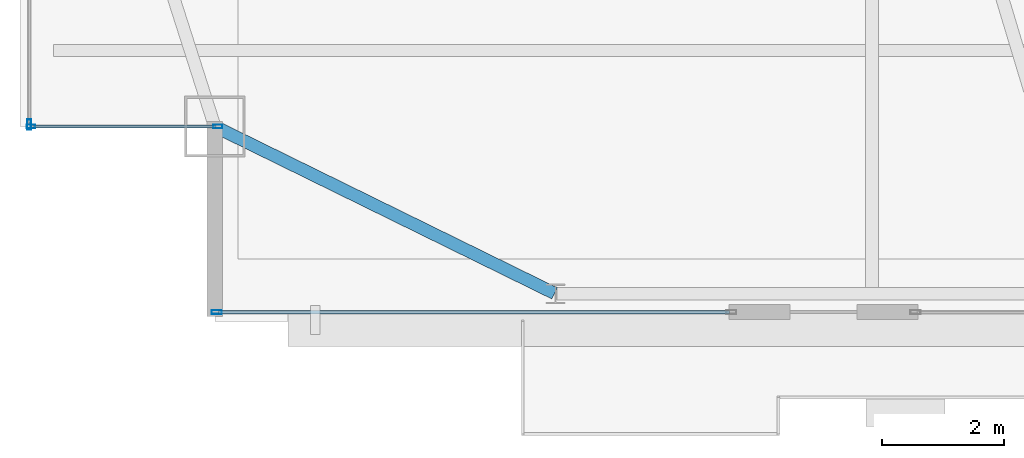
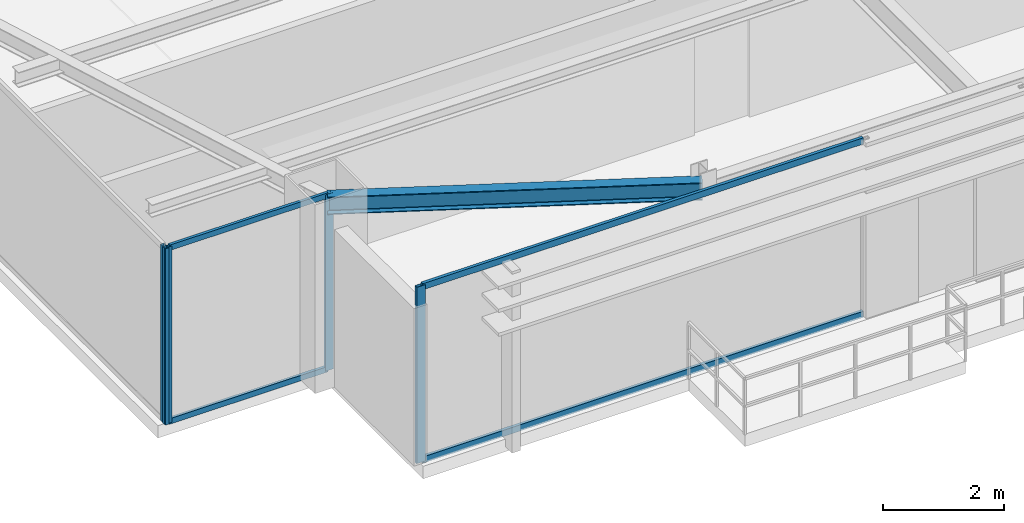
# One storey, part 3 of 23: 8 members, 1 beam, 3 elements without a shape of their own.
"""IFC4 building model written with IfcOpenShell, lengths in metres."""

from ifc_helpers import new_model, si_unit, direction, frame, origin, origin_2d, place, context, subcontext, project, spatial, hollow_rectangle, i_section, extrude, source, transform, mapped, material, layer, layer_set, material_profile, profile_set, type_object, type_shapes, element, aggregate, save


model = new_model("IFC4")

# Units and contexts
model_context = context("Model", 3, precision=1e-05, world=origin(), true_north=direction((0.0, 1.0)))
body_context = subcontext(model_context, "Body", "Model", "MODEL_VIEW")
ifc_project = project(units=[si_unit("LENGTHUNIT", "METRE"), si_unit("AREAUNIT", "SQUARE_METRE"), si_unit("VOLUMEUNIT", "CUBIC_METRE"), si_unit("PLANEANGLEUNIT", "RADIAN"), si_unit("MASSUNIT", "GRAM", prefix="KILO")], contexts=[model_context])

# Site, building, storey
site_placement = place(None, origin())
site = spatial("IfcSite", under=ifc_project, at=site_placement, CompositionType="ELEMENT")
building_placement = place(site_placement, origin())
building = spatial("IfcBuilding", under=site, at=building_placement, Name="Varnel Quay Broadcast Tower", CompositionType="ELEMENT")
storey_placement = place(building_placement, frame((0.0, 0.0, 266.0)))
storey = spatial("IfcBuildingStorey", under=building, at=storey_placement, Name="L66", CompositionType="ELEMENT", Elevation=266.0)

# Beam
ifc_material_1 = material(Name="Structural Steel CSA G40.21 350W", Category="steel")
ifc_material_profile_1 = material_profile(ifc_material_1, i_section(OverallWidth=0.205078125, OverallDepth=0.35400390625, WebThickness=0.009521484375, FlangeThickness=0.016845703125, FilletRadius=0.012939453125, at=origin_2d()), Name="W360X79")
ifc_profile_set_1 = profile_set([ifc_material_profile_1], Name="Structural Steel CSA G40.21 350W")
beam_type = type_object("IfcBeamType", Name="Beam_W360X79", PredefinedType="SPANDREL", material=ifc_profile_set_1)
shared_shape_1 = source(origin(), body_context, "Body", "SweptSolid", [
    extrude(i_section(OverallWidth=0.205078125, OverallDepth=0.35400390625, WebThickness=0.009521484375, FlangeThickness=0.016845703125, FilletRadius=0.012939453125, at=origin_2d()), origin(), (0.0, 0.0, 1.0), 6.19873046875),
])
type_shapes(beam_type, [shared_shape_1])
beam_placement = place(storey_placement, frame((15.218017578125, 16.39111328125, 3.373046875), z_axis=(0.897602447358, -0.440805905697, 0.0), x_axis=(0.440805905697, 0.897602447358, 0.0)))
element("IfcBeam", 1, at=beam_placement, inside=storey, type_object=beam_type, Name="L66 South Spandrel MC-SW-TC-S1", PredefinedType="SPANDREL", context=body_context, shape_type="MappedRepresentation", body=[
    mapped(shared_shape_1, transform((0.0, 0.0, 0.0), x_axis=(1.0, 0.0, 0.0), y_axis=(0.0, 1.0, 0.0), z_axis=(0.0, 0.0, 1.0), scale=1.0)),
])

# Curtain wall, members
ifc_material_2 = material(Name="Anodised Bronze Aluminium 6063-T6", Category="aluminium")
ifc_layer_1 = layer(ifc_material_2, 0.18994140625, Name="Anodised Bronze Aluminium 6063-T6")
ifc_layer_set_1 = layer_set([ifc_layer_1], Name="Anodised Bronze Aluminium 6063-T6")
curtain_wall_type_1 = type_object("IfcCurtainWallType", Name="CW_NotchCorner", PredefinedType="NOTDEFINED", material=ifc_layer_set_1)
curtain_wall_1_placement = place(storey_placement, origin())
curtain_wall_1 = element("IfcCurtainWall", 2, at=curtain_wall_1_placement, inside=storey, type_object=curtain_wall_type_1, Name="L66 SW Notch Curtain Wall", PredefinedType="NOTDEFINED")
ifc_material_profile_2 = material_profile(ifc_material_2, hollow_rectangle(XDim=0.06005859375, YDim=0.14501953125, WallThickness=0.00341796875, at=origin_2d()), Name="ALU60X145X3.5")
ifc_profile_set_2 = profile_set([ifc_material_profile_2], Name="Anodised Bronze Aluminium 6063-T6")
member_type_1 = type_object("IfcMemberType", Name="Mull_CWS-04", PredefinedType="MULLION", material=ifc_profile_set_2)
shared_shape_2 = source(origin(), body_context, "Body", "SweptSolid", [
    extrude(hollow_rectangle(XDim=0.06005859375, YDim=0.14501953125, WallThickness=0.00341796875, at=origin_2d()), origin(), (0.0, 0.0, 1.0), 3.550048828125),
])
type_shapes(member_type_1, [shared_shape_2])
member_1_placement = place(storey_placement, frame((12.179931640625, 16.39990234375, 0.0), z_axis=(0.0, 0.0, 1.0), x_axis=(0.0, 1.0, 0.0)))
member_1 = element("IfcMember", 3, at=member_1_placement, type_object=member_type_1, Name="CWS-04 mullion 1", PredefinedType="MULLION", context=body_context, shape_type="MappedRepresentation", body=[
    mapped(shared_shape_2, transform((0.0, 0.0, 0.0), x_axis=(1.0, 0.0, 0.0), y_axis=(0.0, 1.0, 0.0), z_axis=(0.0, 0.0, 1.0), scale=1.0)),
])
member_2_placement = place(storey_placement, frame((15.25, 16.39990234375, 0.0), z_axis=(0.0, 0.0, 1.0), x_axis=(0.0, 1.0, 0.0)))
member_2 = element("IfcMember", 4, at=member_2_placement, type_object=member_type_1, Name="CWS-04 mullion 2", PredefinedType="MULLION", context=body_context, shape_type="MappedRepresentation", body=[
    mapped(shared_shape_2, transform((0.0, 0.0, 0.0), x_axis=(1.0, 0.0, 0.0), y_axis=(0.0, 1.0, 0.0), z_axis=(0.0, 0.0, 1.0), scale=1.0)),
])

# Curtain wall, member
ifc_layer_2 = layer(ifc_material_2, 0.18994140625, Name="Anodised Bronze Aluminium 6063-T6")
ifc_layer_set_2 = layer_set([ifc_layer_2], Name="Anodised Bronze Aluminium 6063-T6")
curtain_wall_type_2 = type_object("IfcCurtainWallType", Name="CW_UpperTower", PredefinedType="NOTDEFINED", material=ifc_layer_set_2)
curtain_wall_2_placement = place(storey_placement, origin())
curtain_wall_2 = element("IfcCurtainWall", 5, at=curtain_wall_2_placement, inside=storey, type_object=curtain_wall_type_2, Name="L66 South Unitised Curtain Wall 1", PredefinedType="NOTDEFINED")
ifc_material_profile_3 = material_profile(ifc_material_2, hollow_rectangle(XDim=0.06494140625, YDim=0.1650390625, WallThickness=0.00341796875, at=origin_2d()), Name="ALU65X165X3.5")
ifc_profile_set_3 = profile_set([ifc_material_profile_3], Name="Anodised Bronze Aluminium 6063-T6")
member_type_2 = type_object("IfcMemberType", Name="Mull_CWS-03", PredefinedType="MULLION", material=ifc_profile_set_3)
shared_shape_3 = source(origin(), body_context, "Body", "SweptSolid", [
    extrude(hollow_rectangle(XDim=0.06494140625, YDim=0.1650390625, WallThickness=0.00341796875, at=origin_2d()), origin(), (0.0, 0.0, 1.0), 3.550048828125),
])
type_shapes(member_type_2, [shared_shape_3])
member_3_placement = place(storey_placement, frame((15.232421875, 13.35009765625, 0.0), z_axis=(0.0, 0.0, 1.0), x_axis=(0.0, 1.0, 0.0)))
member_3 = element("IfcMember", 6, at=member_3_placement, type_object=member_type_2, Name="CWS-03 mullion 1", PredefinedType="MULLION", context=body_context, shape_type="MappedRepresentation", body=[
    mapped(shared_shape_3, transform((0.0, 0.0, 0.0), x_axis=(1.0, 0.0, 0.0), y_axis=(0.0, 1.0, 0.0), z_axis=(0.0, 0.0, 1.0), scale=1.0)),
])

curtain_wall_3_placement = place(storey_placement, origin())
curtain_wall_3 = element("IfcCurtainWall", 7, at=curtain_wall_3_placement, inside=storey, type_object=curtain_wall_type_2, Name="L66 West Unitised Curtain Wall", PredefinedType="NOTDEFINED")
member_4_placement = place(storey_placement, frame((12.14990234375, 16.4326171875, 0.0), z_axis=(0.0, 0.0, 1.0), x_axis=(-1.0, 0.0, 0.0)))
member_4 = element("IfcMember", 8, at=member_4_placement, type_object=member_type_2, Name="CWS-03 mullion 1", PredefinedType="MULLION", context=body_context, shape_type="MappedRepresentation", body=[
    mapped(shared_shape_3, transform((0.0, 0.0, 0.0), x_axis=(1.0, 0.0, 0.0), y_axis=(0.0, 1.0, 0.0), z_axis=(0.0, 0.0, 1.0), scale=1.0)),
])
aggregate(curtain_wall_3, [member_4])

# Member
ifc_material_profile_4 = material_profile(ifc_material_2, hollow_rectangle(XDim=0.06005859375, YDim=0.125, WallThickness=0.0029296875, at=origin_2d()), Name="ALU60X125X3")
ifc_profile_set_4 = profile_set([ifc_material_profile_4], Name="Anodised Bronze Aluminium 6063-T6")
member_type_3 = type_object("IfcMemberType", Name="Tran_CWS-03", PredefinedType="USERDEFINED", material=ifc_profile_set_4)
shared_shape_4 = source(origin(), body_context, "Body", "SweptSolid", [
    extrude(hollow_rectangle(XDim=0.06005859375, YDim=0.125, WallThickness=0.0029296875, at=origin_2d()), origin(), (0.0, 0.0, 1.0), 8.39013671875),
])
type_shapes(member_type_3, [shared_shape_4])
member_5_placement = place(storey_placement, frame((15.264892578125, 13.35009765625, 0.030029296875), z_axis=(1.0, 0.0, 0.0), x_axis=(0.0, 1.0, 0.0)))
member_5 = element("IfcMember", 9, at=member_5_placement, type_object=member_type_3, Name="CWS-03 transom 1.1", ObjectType="TRANSOM", PredefinedType="USERDEFINED", context=body_context, shape_type="MappedRepresentation", body=[
    mapped(shared_shape_4, transform((0.0, 0.0, 0.0), x_axis=(1.0, 0.0, 0.0), y_axis=(0.0, 1.0, 0.0), z_axis=(0.0, 0.0, 1.0), scale=1.0)),
])

member_6_placement = place(storey_placement, frame((15.264892578125, 13.35009765625, 3.52001953125), z_axis=(1.0, 0.0, 0.0), x_axis=(0.0, 1.0, 0.0)))
member_6 = element("IfcMember", 10, at=member_6_placement, type_object=member_type_3, Name="CWS-03 transom 1.2", ObjectType="TRANSOM", PredefinedType="USERDEFINED", context=body_context, shape_type="MappedRepresentation", body=[
    mapped(shared_shape_4, transform((0.0, 0.0, 0.0), x_axis=(1.0, 0.0, 0.0), y_axis=(0.0, 1.0, 0.0), z_axis=(0.0, 0.0, 1.0), scale=1.0)),
])

aggregate(curtain_wall_2, [member_3, member_5, member_6])

ifc_material_profile_5 = material_profile(ifc_material_2, hollow_rectangle(XDim=0.054931640625, YDim=0.110107421875, WallThickness=0.0029296875, at=origin_2d()), Name="ALU55X110X3")
ifc_profile_set_5 = profile_set([ifc_material_profile_5], Name="Anodised Bronze Aluminium 6063-T6")
member_type_4 = type_object("IfcMemberType", Name="Tran_CWS-04", PredefinedType="USERDEFINED", material=ifc_profile_set_5)
shared_shape_5 = source(origin(), body_context, "Body", "SweptSolid", [
    extrude(hollow_rectangle(XDim=0.054931640625, YDim=0.110107421875, WallThickness=0.0029296875, at=origin_2d()), origin(), (0.0, 0.0, 1.0), 3.010009765625),
])
type_shapes(member_type_4, [shared_shape_5])
member_7_placement = place(storey_placement, frame((12.2099609375, 16.39990234375, 0.027587890625), z_axis=(1.0, 0.0, 0.0), x_axis=(0.0, 1.0, 0.0)))
member_7 = element("IfcMember", 11, at=member_7_placement, type_object=member_type_4, Name="CWS-04 transom 1.1", ObjectType="TRANSOM", PredefinedType="USERDEFINED", context=body_context, shape_type="MappedRepresentation", body=[
    mapped(shared_shape_5, transform((0.0, 0.0, 0.0), x_axis=(1.0, 0.0, 0.0), y_axis=(0.0, 1.0, 0.0), z_axis=(0.0, 0.0, 1.0), scale=1.0)),
])

member_8_placement = place(storey_placement, frame((12.2099609375, 16.39990234375, 3.5224609375), z_axis=(1.0, 0.0, 0.0), x_axis=(0.0, 1.0, 0.0)))
member_8 = element("IfcMember", 12, at=member_8_placement, type_object=member_type_4, Name="CWS-04 transom 1.2", ObjectType="TRANSOM", PredefinedType="USERDEFINED", context=body_context, shape_type="MappedRepresentation", body=[
    mapped(shared_shape_5, transform((0.0, 0.0, 0.0), x_axis=(1.0, 0.0, 0.0), y_axis=(0.0, 1.0, 0.0), z_axis=(0.0, 0.0, 1.0), scale=1.0)),
])

aggregate(curtain_wall_1, [member_1, member_2, member_7, member_8])

save(model, "model.ifc")
